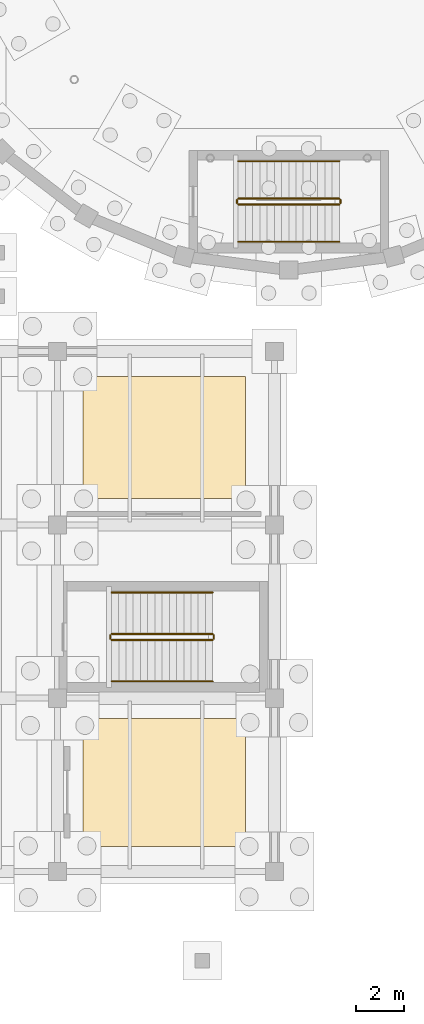
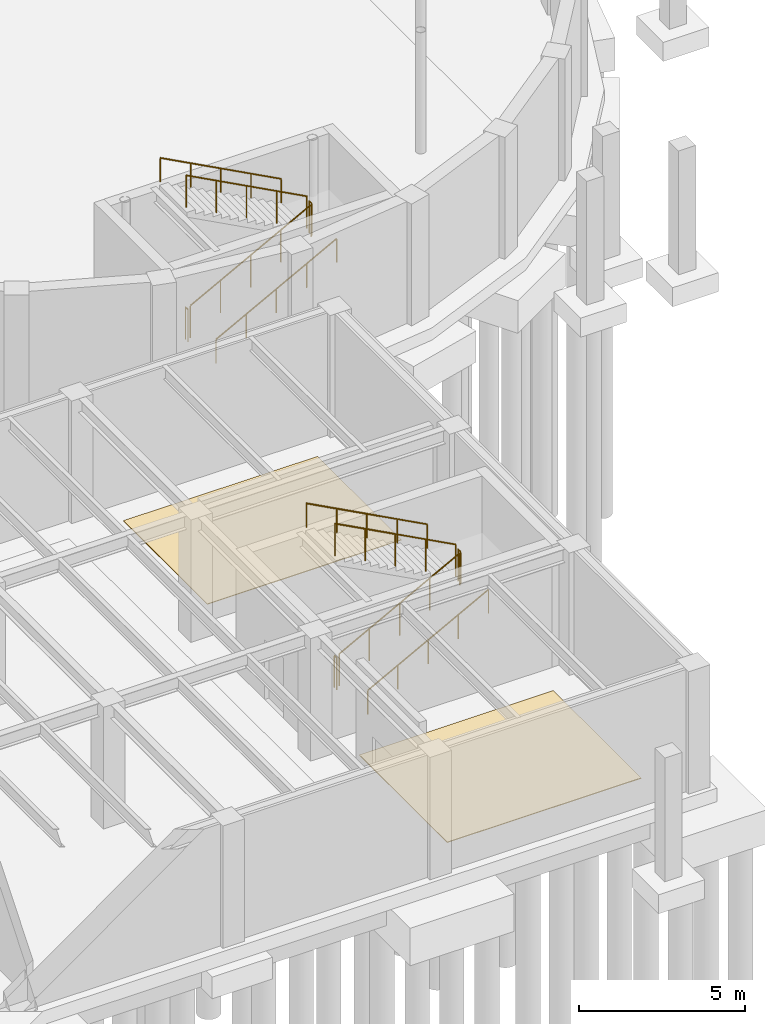
# One storey, part 24 of 26: 12 railings, 2 coverings.
"""IFC4 building model written with IfcOpenShell, lengths in metres."""

from ifc_helpers import new_model, si_unit, direction, frame, origin, origin_2d, place, context, subcontext, project, spatial, polyline, circle, outline, extrude, material, layer, layer_set, type_object, element, save


model = new_model("IFC4")

# Units and contexts
model_context = context("Model", 3, precision=1e-05, world=origin(), true_north=direction((0.0, 1.0)))
body_context = subcontext(model_context, "Body", "Model", "MODEL_VIEW")
ifc_project = project(units=[si_unit("LENGTHUNIT", "METRE"), si_unit("AREAUNIT", "SQUARE_METRE"), si_unit("VOLUMEUNIT", "CUBIC_METRE"), si_unit("PLANEANGLEUNIT", "RADIAN"), si_unit("MASSUNIT", "GRAM", prefix="KILO")], contexts=[model_context])

# Site, building, storey
site_placement = place(None, origin())
site = spatial("IfcSite", under=ifc_project, at=site_placement, CompositionType="ELEMENT")
building_placement = place(site_placement, origin())
building = spatial("IfcBuilding", under=site, at=building_placement, Name="Kandorven Conservatory and Botanical Research Centre", CompositionType="ELEMENT")
storey_placement = place(building_placement, frame((0.0, 0.0, -4.800048828125)))
storey = spatial("IfcBuildingStorey", under=building, at=storey_placement, Name="B01", CompositionType="ELEMENT", Elevation=-4.800048828125)

# Coverings
ifc_material_1 = material(Name="Honed Kota stone and epoxy laboratory flooring", Category="masonry")
ifc_layer = layer(ifc_material_1, 0.02490234375)
ifc_layer_set = layer_set([ifc_layer], Name="Honed Kota stone and epoxy laboratory flooring")
covering_type = type_object("IfcCoveringType", Name="Cov_Flooring_1", PredefinedType="FLOORING", material=ifc_layer_set)
covering_1_placement = place(storey_placement, origin())
element("IfcCovering", 1, at=covering_1_placement, inside=storey, type_object=covering_type, Name="Floor finish FLR-01 (Botanical Field Equipment and Herbarium Crate Store)", PredefinedType="FLOORING", context=body_context, shape_type="SweptSolid", body=[
    extrude(outline(polyline([(79.050048828125, 21.5), (85.800048828125, 21.5), (85.800048828125, 26.550048828125), (79.050048828125, 26.550048828125), (79.050048828125, 21.5)])), origin(), (0.0, 0.0, 1.0), 0.025146484375),
])
covering_2_placement = place(storey_placement, origin())
element("IfcCovering", 2, at=covering_2_placement, inside=storey, type_object=covering_type, Name="Floor finish FLR-01 (Botanical Rare Seed Index Vault B01)", PredefinedType="FLOORING", context=body_context, shape_type="SweptSolid", body=[
    extrude(outline(polyline([(79.050048828125, 7.050048828125), (85.800048828125, 7.050048828125), (85.800048828125, 12.35009765625), (79.050048828125, 12.35009765625), (79.050048828125, 7.050048828125)])), origin(), (0.0, 0.0, 1.0), 0.025146484375),
])

# Railings
ifc_material_2 = material(Name="Steel S355 (IS 2062 E350)", Category="steel")
railing_type_1 = type_object("IfcRailingType", Name="StairGuard_1150", PredefinedType="BALUSTRADE", material=ifc_material_2)
railing_1_placement = place(storey_placement, frame((80.239990234375, 15.6201171875, 0.16015625)))
element("IfcRailing", 3, at=railing_1_placement, inside=storey, type_object=railing_type_1, Name="B01 ST-V3B stair guard 1", PredefinedType="BALUSTRADE", context=body_context, shape_type="SweptSolid", body=[
    extrude(circle(Radius=0.02392578125, at=origin_2d()), frame((0.0, 0.0, 1.17578125), z_axis=(0.882351521365, 0.0, 0.470590897432), x_axis=(0.0, 1.0, 0.0)), (0.0, 0.0, 1.0), 4.760009765625),
    extrude(circle(Radius=0.02099609375, at=origin_2d()), origin(), (0.0, 0.0, 1.0), 1.15185546875),
    extrude(circle(Radius=0.02099609375, at=origin_2d()), frame((1.050048828125, 0.0, 0.56005859375)), (0.0, 0.0, 1.0), 1.15185546875),
    extrude(circle(Radius=0.02099609375, at=origin_2d()), frame((2.10009765625, 0.0, 1.1201171875)), (0.0, 0.0, 1.0), 1.15185546875),
    extrude(circle(Radius=0.02099609375, at=origin_2d()), frame((3.14990234375, 0.0, 1.679931640625)), (0.0, 0.0, 1.0), 1.15185546875),
    extrude(circle(Radius=0.02099609375, at=origin_2d()), frame((4.199951171875, 0.0, 2.239990234375)), (0.0, 0.0, 1.0), 1.15185546875),
])
railing_2_placement = place(storey_placement, frame((84.489990234375, 15.669921875, 2.400146484375)))
element("IfcRailing", 4, at=railing_2_placement, inside=storey, type_object=railing_type_1, Name="B01 ST-V3B stair guard 2", PredefinedType="BALUSTRADE", context=body_context, shape_type="SweptSolid", body=[
    extrude(circle(Radius=0.02392578125, at=origin_2d()), frame((0.0, 0.0, 1.17578125), z_axis=(0.0, 1.0, 0.0), x_axis=(-1.0, 0.0, 0.0)), (0.0, 0.0, 1.0), 0.150146484375),
    extrude(circle(Radius=0.02099609375, at=origin_2d()), origin(), (0.0, 0.0, 1.0), 1.15185546875),
    extrude(circle(Radius=0.02099609375, at=origin_2d()), frame((0.0, 0.150146484375, 0.0)), (0.0, 0.0, 1.0), 1.15185546875),
])
railing_3_placement = place(storey_placement, frame((84.43994140625, 15.8701171875, 2.56005859375)))
element("IfcRailing", 5, at=railing_3_placement, inside=storey, type_object=railing_type_1, Name="B01 ST-V3B stair guard 3", PredefinedType="BALUSTRADE", context=body_context, shape_type="SweptSolid", body=[
    extrude(circle(Radius=0.02392578125, at=origin_2d()), frame((0.0, 0.0, 1.17578125), z_axis=(-0.882351521365, 0.0, 0.470590897432), x_axis=(0.0, -1.0, 0.0)), (0.0, 0.0, 1.0), 4.760009765625),
    extrude(circle(Radius=0.02099609375, at=origin_2d()), origin(), (0.0, 0.0, 1.0), 1.15185546875),
    extrude(circle(Radius=0.02099609375, at=origin_2d()), frame((-1.050048828125, 0.0, 0.56005859375)), (0.0, 0.0, 1.0), 1.15185546875),
    extrude(circle(Radius=0.02099609375, at=origin_2d()), frame((-2.10009765625, 0.0, 1.1201171875)), (0.0, 0.0, 1.0), 1.15185546875),
    extrude(circle(Radius=0.02099609375, at=origin_2d()), frame((-3.14990234375, 0.0, 1.679931640625)), (0.0, 0.0, 1.0), 1.15185546875),
    extrude(circle(Radius=0.02099609375, at=origin_2d()), frame((-4.199951171875, 0.0, 2.239990234375)), (0.0, 0.0, 1.0), 1.15185546875),
])
railing_4_placement = place(storey_placement, frame((80.18994140625, 15.669921875, 0.0)))
element("IfcRailing", 6, at=railing_4_placement, inside=storey, type_object=railing_type_1, Name="B01 ST-V3B stair guard 4", PredefinedType="BALUSTRADE", context=body_context, shape_type="SweptSolid", body=[
    extrude(circle(Radius=0.02392578125, at=origin_2d()), frame((0.0, 0.0, 1.17578125), z_axis=(0.0, 1.0, 0.0), x_axis=(-1.0, 0.0, 0.0)), (0.0, 0.0, 1.0), 0.150146484375),
    extrude(circle(Radius=0.02099609375, at=origin_2d()), origin(), (0.0, 0.0, 1.0), 1.15185546875),
    extrude(circle(Radius=0.02099609375, at=origin_2d()), frame((0.0, 0.150146484375, 0.0)), (0.0, 0.0, 1.0), 1.15185546875),
])
railing_5_placement = place(storey_placement, frame((85.5, 33.699951171875, 0.16015625)))
element("IfcRailing", 7, at=railing_5_placement, inside=storey, type_object=railing_type_1, Name="B01 ST-V1 stair guard 1", PredefinedType="BALUSTRADE", context=body_context, shape_type="SweptSolid", body=[
    extrude(circle(Radius=0.02392578125, at=origin_2d()), frame((0.0, 0.0, 1.17578125), z_axis=(0.882351521365, 0.0, 0.470590897432), x_axis=(0.0, 1.0, 0.0)), (0.0, 0.0, 1.0), 4.760009765625),
    extrude(circle(Radius=0.02099609375, at=origin_2d()), origin(), (0.0, 0.0, 1.0), 1.15185546875),
    extrude(circle(Radius=0.02099609375, at=origin_2d()), frame((1.050048828125, 0.0, 0.56005859375)), (0.0, 0.0, 1.0), 1.15185546875),
    extrude(circle(Radius=0.02099609375, at=origin_2d()), frame((2.10009765625, 0.0, 1.1201171875)), (0.0, 0.0, 1.0), 1.15185546875),
    extrude(circle(Radius=0.02099609375, at=origin_2d()), frame((3.14990234375, 0.0, 1.679931640625)), (0.0, 0.0, 1.0), 1.15185546875),
    extrude(circle(Radius=0.02099609375, at=origin_2d()), frame((4.199951171875, 0.0, 2.239990234375)), (0.0, 0.0, 1.0), 1.15185546875),
])
railing_6_placement = place(storey_placement, frame((89.75, 33.75, 2.400146484375)))
element("IfcRailing", 8, at=railing_6_placement, inside=storey, type_object=railing_type_1, Name="B01 ST-V1 stair guard 2", PredefinedType="BALUSTRADE", context=body_context, shape_type="SweptSolid", body=[
    extrude(circle(Radius=0.02392578125, at=origin_2d()), frame((0.0, 0.0, 1.17578125), z_axis=(0.0, 1.0, 0.0), x_axis=(-1.0, 0.0, 0.0)), (0.0, 0.0, 1.0), 0.14990234375),
    extrude(circle(Radius=0.02099609375, at=origin_2d()), origin(), (0.0, 0.0, 1.0), 1.15185546875),
    extrude(circle(Radius=0.02099609375, at=origin_2d()), frame((0.0, 0.14990234375, 0.0)), (0.0, 0.0, 1.0), 1.15185546875),
])
railing_7_placement = place(storey_placement, frame((89.699951171875, 33.949951171875, 2.56005859375)))
element("IfcRailing", 9, at=railing_7_placement, inside=storey, type_object=railing_type_1, Name="B01 ST-V1 stair guard 3", PredefinedType="BALUSTRADE", context=body_context, shape_type="SweptSolid", body=[
    extrude(circle(Radius=0.02392578125, at=origin_2d()), frame((0.0, 0.0, 1.17578125), z_axis=(-0.882351521365, 0.0, 0.470590897432), x_axis=(0.0, -1.0, 0.0)), (0.0, 0.0, 1.0), 4.760009765625),
    extrude(circle(Radius=0.02099609375, at=origin_2d()), origin(), (0.0, 0.0, 1.0), 1.15185546875),
    extrude(circle(Radius=0.02099609375, at=origin_2d()), frame((-1.050048828125, 0.0, 0.56005859375)), (0.0, 0.0, 1.0), 1.15185546875),
    extrude(circle(Radius=0.02099609375, at=origin_2d()), frame((-2.10009765625, 0.0, 1.1201171875)), (0.0, 0.0, 1.0), 1.15185546875),
    extrude(circle(Radius=0.02099609375, at=origin_2d()), frame((-3.14990234375, 0.0, 1.679931640625)), (0.0, 0.0, 1.0), 1.15185546875),
    extrude(circle(Radius=0.02099609375, at=origin_2d()), frame((-4.199951171875, 0.0, 2.239990234375)), (0.0, 0.0, 1.0), 1.15185546875),
])
railing_8_placement = place(storey_placement, frame((85.449951171875, 33.75, 0.0)))
element("IfcRailing", 10, at=railing_8_placement, inside=storey, type_object=railing_type_1, Name="B01 ST-V1 stair guard 4", PredefinedType="BALUSTRADE", context=body_context, shape_type="SweptSolid", body=[
    extrude(circle(Radius=0.02392578125, at=origin_2d()), frame((0.0, 0.0, 1.17578125), z_axis=(0.0, 1.0, 0.0), x_axis=(-1.0, 0.0, 0.0)), (0.0, 0.0, 1.0), 0.14990234375),
    extrude(circle(Radius=0.02099609375, at=origin_2d()), origin(), (0.0, 0.0, 1.0), 1.15185546875),
    extrude(circle(Radius=0.02099609375, at=origin_2d()), frame((0.0, 0.14990234375, 0.0)), (0.0, 0.0, 1.0), 1.15185546875),
])
ifc_material_3 = material(Name="Steel S355 (IS 2062 E350)", Category="steel")
railing_type_2 = type_object("IfcRailingType", Name="StairHandrail_900", PredefinedType="HANDRAIL", material=ifc_material_3)
railing_9_placement = place(storey_placement, frame((80.239990234375, 13.89990234375, 0.16015625)))
element("IfcRailing", 11, at=railing_9_placement, inside=storey, type_object=railing_type_2, Name="B01 ST-V3B stair handrail 1", PredefinedType="HANDRAIL", context=body_context, shape_type="SweptSolid", body=[
    extrude(circle(Radius=0.02392578125, at=origin_2d()), frame((0.0, 0.0, 0.8759765625), z_axis=(0.882351521365, 0.0, 0.470590897432), x_axis=(0.0, 1.0, 0.0)), (0.0, 0.0, 1.0), 4.760009765625),
    extrude(circle(Radius=0.02099609375, at=origin_2d()), origin(), (0.0, 0.0, 1.0), 0.851806640625),
    extrude(circle(Radius=0.02099609375, at=origin_2d()), frame((1.050048828125, 0.0, 0.56005859375)), (0.0, 0.0, 1.0), 0.851806640625),
    extrude(circle(Radius=0.02099609375, at=origin_2d()), frame((2.10009765625, 0.0, 1.1201171875)), (0.0, 0.0, 1.0), 0.851806640625),
    extrude(circle(Radius=0.02099609375, at=origin_2d()), frame((3.14990234375, 0.0, 1.679931640625)), (0.0, 0.0, 1.0), 0.851806640625),
    extrude(circle(Radius=0.02099609375, at=origin_2d()), frame((4.199951171875, 0.0, 2.239990234375)), (0.0, 0.0, 1.0), 0.851806640625),
])
railing_10_placement = place(storey_placement, frame((84.43994140625, 17.590087890625, 2.56005859375)))
element("IfcRailing", 12, at=railing_10_placement, inside=storey, type_object=railing_type_2, Name="B01 ST-V3B stair handrail 2", PredefinedType="HANDRAIL", context=body_context, shape_type="SweptSolid", body=[
    extrude(circle(Radius=0.02392578125, at=origin_2d()), frame((0.0, 0.0, 0.8759765625), z_axis=(-0.882351521365, 0.0, 0.470590897432), x_axis=(0.0, -1.0, 0.0)), (0.0, 0.0, 1.0), 4.760009765625),
    extrude(circle(Radius=0.02099609375, at=origin_2d()), origin(), (0.0, 0.0, 1.0), 0.851806640625),
    extrude(circle(Radius=0.02099609375, at=origin_2d()), frame((-1.050048828125, 0.0, 0.56005859375)), (0.0, 0.0, 1.0), 0.851806640625),
    extrude(circle(Radius=0.02099609375, at=origin_2d()), frame((-2.10009765625, 0.0, 1.1201171875)), (0.0, 0.0, 1.0), 0.851806640625),
    extrude(circle(Radius=0.02099609375, at=origin_2d()), frame((-3.14990234375, 0.0, 1.679931640625)), (0.0, 0.0, 1.0), 0.851806640625),
    extrude(circle(Radius=0.02099609375, at=origin_2d()), frame((-4.199951171875, 0.0, 2.239990234375)), (0.0, 0.0, 1.0), 0.851806640625),
])
railing_11_placement = place(storey_placement, frame((85.5, 32.14990234375, 0.16015625)))
element("IfcRailing", 13, at=railing_11_placement, inside=storey, type_object=railing_type_2, Name="B01 ST-V1 stair handrail 1", PredefinedType="HANDRAIL", context=body_context, shape_type="SweptSolid", body=[
    extrude(circle(Radius=0.02392578125, at=origin_2d()), frame((0.0, 0.0, 0.8759765625), z_axis=(0.882351521365, 0.0, 0.470590897432), x_axis=(0.0, 1.0, 0.0)), (0.0, 0.0, 1.0), 4.760009765625),
    extrude(circle(Radius=0.02099609375, at=origin_2d()), origin(), (0.0, 0.0, 1.0), 0.851806640625),
    extrude(circle(Radius=0.02099609375, at=origin_2d()), frame((1.050048828125, 0.0, 0.56005859375)), (0.0, 0.0, 1.0), 0.851806640625),
    extrude(circle(Radius=0.02099609375, at=origin_2d()), frame((2.10009765625, 0.0, 1.1201171875)), (0.0, 0.0, 1.0), 0.851806640625),
    extrude(circle(Radius=0.02099609375, at=origin_2d()), frame((3.14990234375, 0.0, 1.679931640625)), (0.0, 0.0, 1.0), 0.851806640625),
    extrude(circle(Radius=0.02099609375, at=origin_2d()), frame((4.199951171875, 0.0, 2.239990234375)), (0.0, 0.0, 1.0), 0.851806640625),
])
railing_12_placement = place(storey_placement, frame((89.699951171875, 35.5, 2.56005859375)))
element("IfcRailing", 14, at=railing_12_placement, inside=storey, type_object=railing_type_2, Name="B01 ST-V1 stair handrail 2", PredefinedType="HANDRAIL", context=body_context, shape_type="SweptSolid", body=[
    extrude(circle(Radius=0.02392578125, at=origin_2d()), frame((0.0, 0.0, 0.8759765625), z_axis=(-0.882351521365, 0.0, 0.470590897432), x_axis=(0.0, -1.0, 0.0)), (0.0, 0.0, 1.0), 4.760009765625),
    extrude(circle(Radius=0.02099609375, at=origin_2d()), origin(), (0.0, 0.0, 1.0), 0.851806640625),
    extrude(circle(Radius=0.02099609375, at=origin_2d()), frame((-1.050048828125, 0.0, 0.56005859375)), (0.0, 0.0, 1.0), 0.851806640625),
    extrude(circle(Radius=0.02099609375, at=origin_2d()), frame((-2.10009765625, 0.0, 1.1201171875)), (0.0, 0.0, 1.0), 0.851806640625),
    extrude(circle(Radius=0.02099609375, at=origin_2d()), frame((-3.14990234375, 0.0, 1.679931640625)), (0.0, 0.0, 1.0), 0.851806640625),
    extrude(circle(Radius=0.02099609375, at=origin_2d()), frame((-4.199951171875, 0.0, 2.239990234375)), (0.0, 0.0, 1.0), 0.851806640625),
])

save(model, "model.ifc")
